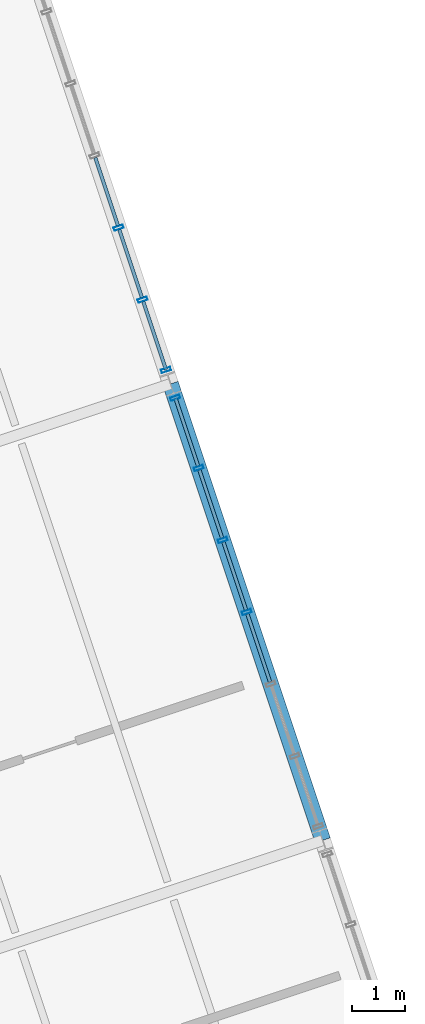
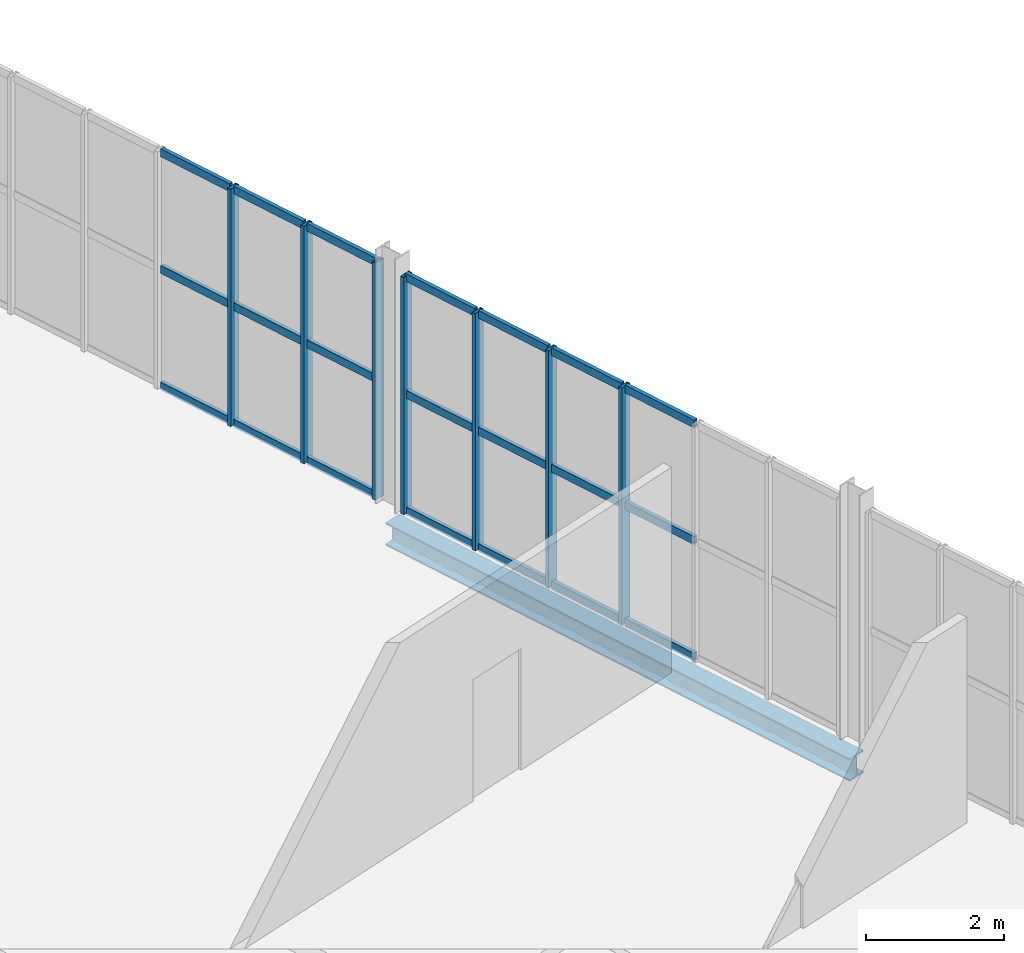
# One storey, part 92 of 152: 28 members, 1 beam, 2 elements without a shape of their own.
"""IFC4 building model written with IfcOpenShell, lengths in metres."""

import ifcopenshell
import ifcopenshell.guid

model = None  # the IFC model being written
_history = None  # IfcOwnerHistory: only IFC2X3 demands one
_inside = {}  # id of a spatial element -> (the spatial element, [elements in it])
_under = {}  # id of a project, library or spatial element -> (it, [spatial elements below it])
_declared = {}  # id of a project -> (the project, [libraries it declares])
_typed = {}  # id of a type object -> (the type object, [elements of that type])
_made_of = {}  # id of a material, layer set ... -> (it, [elements and type objects made of it])


def new_model(schema):
    """Start an empty IFC model of exactly this schema.

    Asked for "IFC4X3", IfcOpenShell would pick the latest addendum, in which some entities
    have other attributes; the version numbers below select the first issue.
    IFC2X3 requires an IfcOwnerHistory on every rooted entity: one is made here for all.
    """
    global model, _history
    if schema == "IFC4X3":
        model = ifcopenshell.file(schema_version=(4, 3, 0, 0))
    else:
        model = ifcopenshell.file(schema=schema)
    _inside.clear()
    _under.clear()
    _declared.clear()
    _typed.clear()
    _made_of.clear()
    _history = None
    if model.schema == "IFC2X3":
        org = make("IfcOrganization", Name="unknown")
        user = make(
            "IfcPersonAndOrganization",
            ThePerson=make("IfcPerson", FamilyName="unknown"),
            TheOrganization=org,
        )
        app = make(
            "IfcApplication",
            ApplicationDeveloper=org,
            Version="unknown",
            ApplicationFullName="unknown",
            ApplicationIdentifier="unknown",
        )
        _history = make(
            "IfcOwnerHistory",
            OwningUser=user,
            OwningApplication=app,
            ChangeAction="ADDED",
            CreationDate=0,
        )
    return model


def make(cls, **values):
    """One entity of the class cls with the attributes given. An attribute that is None is left unset."""
    return model.create_entity(
        cls, **{name: value for name, value in values.items() if value is not None}
    )


def rooted(cls, **values):
    """An entity with a GlobalId (a new one), such as an element, a storey or a relation."""
    return make(cls, GlobalId=ifcopenshell.guid.new(), OwnerHistory=_history, **values)


def si_unit(unit_type, name, prefix=None):
    """IfcSIUnit, for example si_unit("LENGTHUNIT", "METRE", prefix="MILLI")."""
    return make("IfcSIUnit", UnitType=unit_type, Prefix=prefix, Name=name)


def derived_unit(unit_type, elements):
    """IfcDerivedUnit: a product of units, each with its exponent."""
    return make(
        "IfcDerivedUnit",
        Elements=[
            make("IfcDerivedUnitElement", Unit=unit, Exponent=power)
            for unit, power in elements
        ],
        UnitType=unit_type,
    )


def assignment(units):
    """IfcUnitAssignment: the units of a project."""
    return None if units is None else make("IfcUnitAssignment", Units=units)


def point(xyz):
    """IfcCartesianPoint."""
    return None if xyz is None else make("IfcCartesianPoint", Coordinates=xyz)


def direction(xyz):
    """IfcDirection."""
    return None if xyz is None else make("IfcDirection", DirectionRatios=xyz)


def frame(location, z_axis=None, x_axis=None):
    """IfcAxis2Placement3D, a coordinate frame: its origin and axes. An axis left out is left unset."""
    return make(
        "IfcAxis2Placement3D",
        Location=point(location),
        Axis=direction(z_axis),
        RefDirection=direction(x_axis),
    )


def frame_2d(location, x_axis=None):
    """IfcAxis2Placement2D, a coordinate frame in the plane: its origin and x axis."""
    return make(
        "IfcAxis2Placement2D", Location=point(location), RefDirection=direction(x_axis)
    )


def origin():
    """The frame at (0, 0, 0) with its axes left unset."""
    return frame((0.0, 0.0, 0.0))


def origin_2d():
    """The frame at (0, 0) in the plane with its x axis left unset."""
    return frame_2d((0.0, 0.0))


def place(relative_to, where):
    """IfcLocalPlacement: puts the frame where relative to a parent placement (None: the world)."""
    return make(
        "IfcLocalPlacement", PlacementRelTo=relative_to, RelativePlacement=where
    )


def context(
    kind, dimensions, precision=None, world=None, true_north=None, identifier=None
):
    """IfcGeometricRepresentationContext, for example the 3D "Model" context."""
    return make(
        "IfcGeometricRepresentationContext",
        ContextIdentifier=identifier,
        ContextType=kind,
        CoordinateSpaceDimension=dimensions,
        Precision=precision,
        WorldCoordinateSystem=world,
        TrueNorth=true_north,
    )


def subcontext(parent, identifier, kind, view, scale=None):
    """IfcGeometricRepresentationSubContext, for example "Body" below "Model"."""
    return make(
        "IfcGeometricRepresentationSubContext",
        ContextIdentifier=identifier,
        ContextType=kind,
        ParentContext=parent,
        TargetScale=scale,
        TargetView=view,
    )


def project(units=None, contexts=None):
    """IfcProject with its units and contexts."""
    return rooted(
        "IfcProject",
        Name="project",
        RepresentationContexts=contexts,
        UnitsInContext=assignment(units),
    )


def spatial(cls, under=None, at=None, **own):
    """A site, building, storey or space (cls), placed at a placement, below another one or the project."""
    s = rooted(cls, ObjectPlacement=at, **own)
    if under is not None:
        _under.setdefault(under.id(), (under, []))[1].append(s)
    return s


def profile(cls, at=None, kind="AREA", **sizes):
    """A parametric profile (cls). Its sizes go by their IFC names, for example OverallWidth=200.0."""
    return make(cls, ProfileType=kind, Position=at, **sizes)


def hollow_rectangle(**sizes):
    """IfcRectangleHollowProfileDef."""
    return profile("IfcRectangleHollowProfileDef", **sizes)


def i_section(**sizes):
    """IfcIShapeProfileDef."""
    return profile("IfcIShapeProfileDef", **sizes)


def extrude(swept, where, along, depth):
    """IfcExtrudedAreaSolid: the profile swept, set in the frame where, extruded along a direction by depth."""
    return make(
        "IfcExtrudedAreaSolid",
        SweptArea=swept,
        Position=where,
        ExtrudedDirection=direction(along),
        Depth=depth,
    )


def shape(context_of_items, identifier, shape_type, items):
    """IfcShapeRepresentation: the items that make up one representation, for example the "Body"."""
    return make(
        "IfcShapeRepresentation",
        ContextOfItems=context_of_items,
        RepresentationIdentifier=identifier,
        RepresentationType=shape_type,
        Items=items,
    )


def material(Name=None, Category=None):
    """IfcMaterial."""
    return make("IfcMaterial", Name=Name, Category=Category)


def material_profile(
    of_material, cross_section, Name=None, Category=None, Priority=None
):
    """IfcMaterialProfile: a cross section and its material."""
    return make(
        "IfcMaterialProfile",
        Name=Name,
        Material=of_material,
        Profile=cross_section,
        Priority=Priority,
        Category=Category,
    )


def profile_set(profiles, Name=None, composite=None):
    """IfcMaterialProfileSet."""
    return make(
        "IfcMaterialProfileSet",
        Name=Name,
        MaterialProfiles=profiles,
        CompositeProfile=composite,
    )


def made_of(thing, what):
    """Note that an element or type object is made of a material, layer set ...; save() writes the relation."""
    if what is not None:
        _made_of.setdefault(what.id(), (what, []))[1].append(thing)
    return thing


def type_object(cls, material=None, **own):
    """A type object (cls), such as IfcWallType, which elements share."""
    return made_of(rooted(cls, **own), material)


def element(
    cls,
    number,
    at=None,
    inside=None,
    cuts=None,
    type_object=None,
    material=None,
    context=None,
    identifier="Body",
    shape_type=None,
    held_by="IfcProductDefinitionShape",
    body=None,
    shapes=None,
    **own,
):
    """One element of the class cls, such as IfcWall. Its Tag is "e" and its number.

    at: its placement. inside: the storey or other place that contains it. cuts: it is an
    opening in that element (IfcRelVoidsElement). A single representation is given by context,
    identifier, shape_type and body (its items); several are given by shapes. held_by: the class
    of the entity that holds the representations. save() writes the other relations.
    """
    e = rooted(cls, Tag="e%d" % number, ObjectPlacement=at, **own)
    if body is not None:
        shapes = [shape(context, identifier, shape_type, body)]
    if shapes is not None:
        e.Representation = make(held_by, Representations=shapes)
    if inside is not None:
        _inside.setdefault(inside.id(), (inside, []))[1].append(e)
    if cuts is not None:
        rooted(
            "IfcRelVoidsElement", RelatingBuildingElement=cuts, RelatedOpeningElement=e
        )
    if type_object is not None:
        _typed.setdefault(type_object.id(), (type_object, []))[1].append(e)
    return made_of(e, material)


def aggregate(whole, parts):
    """IfcRelAggregates: a whole, such as a stair, and the parts it consists of."""
    return rooted("IfcRelAggregates", RelatingObject=whole, RelatedObjects=parts)


def save(model, path):
    """Write the relations noted so far, then the file.

    IfcRelAggregates (storeys below a building ...), IfcRelContainedInSpatialStructure (elements
    in a storey), IfcRelDefinesByType, IfcRelAssociatesMaterial and IfcRelDeclares: one each for
    every whole, place, type object, material and project.
    """
    for whole, parts in _under.values():
        aggregate(whole, parts)
    for where, things in _inside.values():
        rooted(
            "IfcRelContainedInSpatialStructure",
            RelatedElements=things,
            RelatingStructure=where,
        )
    for kind, things in _typed.values():
        rooted("IfcRelDefinesByType", RelatedObjects=things, RelatingType=kind)
    for what, things in _made_of.values():
        rooted("IfcRelAssociatesMaterial", RelatedObjects=things, RelatingMaterial=what)
    for by, libraries in _declared.values():
        rooted("IfcRelDeclares", RelatingContext=by, RelatedDefinitions=libraries)
    model.write(path)


model = new_model("IFC4")

# Units and contexts
model_context = context("Model", 3, precision=1e-05, world=origin(), true_north=direction((0.0, 1.0)))
body_context = subcontext(model_context, "Body", "Model", "MODEL_VIEW")
ifc_project = project(units=[si_unit("LENGTHUNIT", "METRE"), si_unit("AREAUNIT", "SQUARE_METRE"), si_unit("VOLUMEUNIT", "CUBIC_METRE"), si_unit("PLANEANGLEUNIT", "RADIAN"), si_unit("MASSUNIT", "GRAM", prefix="KILO"), si_unit("THERMODYNAMICTEMPERATUREUNIT", "KELVIN"), si_unit("TIMEUNIT", "SECOND"), derived_unit("THERMALTRANSMITTANCEUNIT", [(si_unit("MASSUNIT", "GRAM", prefix="KILO"), 1), (si_unit("THERMODYNAMICTEMPERATUREUNIT", "KELVIN"), -1), (si_unit("TIMEUNIT", "SECOND"), -3)])], contexts=[model_context])

# Site, building, storey
site_placement = place(None, origin())
site = spatial("IfcSite", under=ifc_project, at=site_placement, CompositionType="ELEMENT")
building_placement = place(site_placement, origin())
building = spatial("IfcBuilding", under=site, at=building_placement, Name="Cambertide Market Hall", CompositionType="ELEMENT")
storey_placement = place(building_placement, frame((0.0, 0.0, 5.39990234375)))
storey = spatial("IfcBuildingStorey", under=building, at=storey_placement, Name="L02", CompositionType="ELEMENT", Elevation=5.39990234375)

# Curtain wall, members
ifc_material_1 = material(Name="Marine Anodized Aluminium 6063-T6 AA25", Category="aluminium")
curtain_wall_type = type_object("IfcCurtainWallType", Name="Food Court Upper Glazed Facade", PredefinedType="USERDEFINED", material=ifc_material_1)
curtain_wall_1_placement = place(storey_placement, origin())
curtain_wall_1 = element("IfcCurtainWall", 1, at=curtain_wall_1_placement, inside=storey, type_object=curtain_wall_type, Name="Level 2 Curtain Wall CW-V3E-L02-2", ObjectType="UNITIZED CURTAIN WALL", PredefinedType="USERDEFINED")
ifc_material_2 = material(Name="Champagne Marine Anodized Aluminium 6063-T6 AA25", Category="aluminium")
ifc_material_profile_1 = material_profile(ifc_material_2, hollow_rectangle(XDim=0.06494140625, YDim=0.179931640625, WallThickness=0.00390625, at=origin_2d()), Name="ALU MULLION 65x180")
ifc_profile_set_1 = profile_set([ifc_material_profile_1], Name="Champagne Marine Anodized Aluminium 6063-T6 AA25")
member_type_1 = type_object("IfcMemberType", Name="Curtain Wall Mullion ALU MULLION 65x180", PredefinedType="MULLION", material=ifc_profile_set_1)
member_1_placement = place(storey_placement, frame((160.161865234375, 48.73779296875, 0.0), z_axis=(0.0, 0.0, 1.0), x_axis=(0.316227695598, -0.948683321523, 0.0)))
member_1 = element("IfcMember", 2, at=member_1_placement, type_object=member_type_1, Name="CW-V3E-L02-2 Mullion 1", PredefinedType="MULLION", context=body_context, shape_type="SweptSolid", body=[
    extrude(hollow_rectangle(XDim=0.06494140625, YDim=0.179931640625, WallThickness=0.00390625, at=origin_2d()), origin(), (0.0, 0.0, 1.0), 4.2001953125),
])
member_2_placement = place(storey_placement, frame((160.599853515625, 47.423828125, 0.0), z_axis=(0.0, 0.0, 1.0), x_axis=(0.316227695598, -0.948683321523, 0.0)))
member_2 = element("IfcMember", 3, at=member_2_placement, type_object=member_type_1, Name="CW-V3E-L02-2 Mullion 2", PredefinedType="MULLION", context=body_context, shape_type="SweptSolid", body=[
    extrude(hollow_rectangle(XDim=0.06494140625, YDim=0.179931640625, WallThickness=0.00390625, at=origin_2d()), origin(), (0.0, 0.0, 1.0), 4.2001953125),
])
member_3_placement = place(storey_placement, frame((161.048828125, 46.07666015625, 0.0), z_axis=(0.0, 0.0, 1.0), x_axis=(0.316227695598, -0.948683321523, 0.0)))
member_3 = element("IfcMember", 4, at=member_3_placement, type_object=member_type_1, Name="CW-V3E-L02-2 Mullion 3", PredefinedType="MULLION", context=body_context, shape_type="SweptSolid", body=[
    extrude(hollow_rectangle(XDim=0.06494140625, YDim=0.179931640625, WallThickness=0.00390625, at=origin_2d()), origin(), (0.0, 0.0, 1.0), 4.2001953125),
])
member_4_placement = place(storey_placement, frame((161.498046875, 44.7294921875, 0.0), z_axis=(0.0, 0.0, 1.0), x_axis=(0.316227695598, -0.948683321523, 0.0)))
member_4 = element("IfcMember", 5, at=member_4_placement, type_object=member_type_1, Name="CW-V3E-L02-2 Mullion 4", PredefinedType="MULLION", context=body_context, shape_type="SweptSolid", body=[
    extrude(hollow_rectangle(XDim=0.06494140625, YDim=0.179931640625, WallThickness=0.00390625, at=origin_2d()), origin(), (0.0, 0.0, 1.0), 4.2001953125),
])

curtain_wall_2_placement = place(storey_placement, origin())
curtain_wall_2 = element("IfcCurtainWall", 6, at=curtain_wall_2_placement, inside=storey, type_object=curtain_wall_type, Name="Level 2 Curtain Wall CW-V3E-L02-3", ObjectType="UNITIZED CURTAIN WALL", PredefinedType="USERDEFINED")
member_5_placement = place(storey_placement, frame((159.10107421875, 51.920654296875, 0.0), z_axis=(0.0, 0.0, 1.0), x_axis=(0.3162277308, -0.948683309789, 0.0)))
member_5 = element("IfcMember", 7, at=member_5_placement, type_object=member_type_1, Name="CW-V3E-L02-3 Mullion 5", PredefinedType="MULLION", context=body_context, shape_type="SweptSolid", body=[
    extrude(hollow_rectangle(XDim=0.06494140625, YDim=0.179931640625, WallThickness=0.00390625, at=origin_2d()), origin(), (0.0, 0.0, 1.0), 4.2001953125),
])
member_6_placement = place(storey_placement, frame((159.550048828125, 50.573486328125, 0.0), z_axis=(0.0, 0.0, 1.0), x_axis=(0.3162277308, -0.948683309789, 0.0)))
member_6 = element("IfcMember", 8, at=member_6_placement, type_object=member_type_1, Name="CW-V3E-L02-3 Mullion 6", PredefinedType="MULLION", context=body_context, shape_type="SweptSolid", body=[
    extrude(hollow_rectangle(XDim=0.06494140625, YDim=0.179931640625, WallThickness=0.00390625, at=origin_2d()), origin(), (0.0, 0.0, 1.0), 4.2001953125),
])
member_7_placement = place(storey_placement, frame((159.988037109375, 49.259521484375, 0.0), z_axis=(0.0, 0.0, 1.0), x_axis=(0.3162277308, -0.948683309789, 0.0)))
member_7 = element("IfcMember", 9, at=member_7_placement, type_object=member_type_1, Name="CW-V3E-L02-3 Mullion 7", PredefinedType="MULLION", context=body_context, shape_type="SweptSolid", body=[
    extrude(hollow_rectangle(XDim=0.06494140625, YDim=0.179931640625, WallThickness=0.00390625, at=origin_2d()), origin(), (0.0, 0.0, 1.0), 4.2001953125),
])

# Member
ifc_material_3 = material(Name="Champagne Marine Anodized Aluminium 6063-T6 AA25", Category="aluminium")
ifc_material_profile_2 = material_profile(ifc_material_3, hollow_rectangle(XDim=0.06494140625, YDim=0.139892578125, WallThickness=0.00341796875, at=origin_2d()), Name="ALU TRANSOM 65x140")
ifc_profile_set_2 = profile_set([ifc_material_profile_2], Name="Champagne Marine Anodized Aluminium 6063-T6 AA25")
member_type_2 = type_object("IfcMemberType", Name="Curtain Wall Transom ALU TRANSOM 65x140", PredefinedType="USERDEFINED", material=ifc_profile_set_2)
member_8_placement = place(storey_placement, frame((160.16357421875, 48.73291015625, 0.03515625), z_axis=(0.316118443418, -0.948719731918, 0.0), x_axis=(0.948719731918, 0.316118443418, 0.0)))
member_8 = element("IfcMember", 10, at=member_8_placement, type_object=member_type_2, Name="CW-V3E-L02-2 Transom 1-1", ObjectType="TRANSOM", PredefinedType="USERDEFINED", context=body_context, shape_type="SweptSolid", body=[
    extrude(hollow_rectangle(XDim=0.06494140625, YDim=0.139892578125, WallThickness=0.00341796875, at=origin_2d()), origin(), (0.0, 0.0, 1.0), 1.33984375),
])

member_9_placement = place(storey_placement, frame((160.612548828125, 47.385986328125, 0.03515625), z_axis=(0.316282422593, -0.948665077442, 0.0), x_axis=(0.948665077442, 0.316282422593, 0.0)))
member_9 = element("IfcMember", 11, at=member_9_placement, type_object=member_type_2, Name="CW-V3E-L02-2 Transom 1-2", ObjectType="TRANSOM", PredefinedType="USERDEFINED", context=body_context, shape_type="SweptSolid", body=[
    extrude(hollow_rectangle(XDim=0.06494140625, YDim=0.139892578125, WallThickness=0.00341796875, at=origin_2d()), origin(), (0.0, 0.0, 1.0), 1.340087890625),
])

member_10_placement = place(storey_placement, frame((161.0615234375, 46.038818359375, 0.03515625), z_axis=(0.316282422593, -0.948665077442, 0.0), x_axis=(0.948665077442, 0.316282422593, 0.0)))
member_10 = element("IfcMember", 12, at=member_10_placement, type_object=member_type_2, Name="CW-V3E-L02-2 Transom 1-3", ObjectType="TRANSOM", PredefinedType="USERDEFINED", context=body_context, shape_type="SweptSolid", body=[
    extrude(hollow_rectangle(XDim=0.06494140625, YDim=0.139892578125, WallThickness=0.00341796875, at=origin_2d()), origin(), (0.0, 0.0, 1.0), 1.340087890625),
])

member_11_placement = place(storey_placement, frame((161.5107421875, 44.691650390625, 0.03515625), z_axis=(0.316118443418, -0.948719731918, 0.0), x_axis=(0.948719731918, 0.316118443418, 0.0)))
member_11 = element("IfcMember", 13, at=member_11_placement, type_object=member_type_2, Name="CW-V3E-L02-2 Transom 1-4", ObjectType="TRANSOM", PredefinedType="USERDEFINED", context=body_context, shape_type="SweptSolid", body=[
    extrude(hollow_rectangle(XDim=0.06494140625, YDim=0.139892578125, WallThickness=0.00341796875, at=origin_2d()), origin(), (0.0, 0.0, 1.0), 1.33984375),
])

member_12_placement = place(storey_placement, frame((160.16357421875, 48.73291015625, 2.10009765625), z_axis=(0.316118443418, -0.948719731918, 0.0), x_axis=(0.948719731918, 0.316118443418, 0.0)))
member_12 = element("IfcMember", 14, at=member_12_placement, type_object=member_type_2, Name="CW-V3E-L02-2 Transom 2-1", ObjectType="TRANSOM", PredefinedType="USERDEFINED", context=body_context, shape_type="SweptSolid", body=[
    extrude(hollow_rectangle(XDim=0.06494140625, YDim=0.139892578125, WallThickness=0.00341796875, at=origin_2d()), origin(), (0.0, 0.0, 1.0), 1.33984375),
])

member_13_placement = place(storey_placement, frame((160.612548828125, 47.385986328125, 2.10009765625), z_axis=(0.316282422593, -0.948665077442, 0.0), x_axis=(0.948665077442, 0.316282422593, 0.0)))
member_13 = element("IfcMember", 15, at=member_13_placement, type_object=member_type_2, Name="CW-V3E-L02-2 Transom 2-2", ObjectType="TRANSOM", PredefinedType="USERDEFINED", context=body_context, shape_type="SweptSolid", body=[
    extrude(hollow_rectangle(XDim=0.06494140625, YDim=0.139892578125, WallThickness=0.00341796875, at=origin_2d()), origin(), (0.0, 0.0, 1.0), 1.340087890625),
])

member_14_placement = place(storey_placement, frame((161.0615234375, 46.038818359375, 2.10009765625), z_axis=(0.316282422593, -0.948665077442, 0.0), x_axis=(0.948665077442, 0.316282422593, 0.0)))
member_14 = element("IfcMember", 16, at=member_14_placement, type_object=member_type_2, Name="CW-V3E-L02-2 Transom 2-3", ObjectType="TRANSOM", PredefinedType="USERDEFINED", context=body_context, shape_type="SweptSolid", body=[
    extrude(hollow_rectangle(XDim=0.06494140625, YDim=0.139892578125, WallThickness=0.00341796875, at=origin_2d()), origin(), (0.0, 0.0, 1.0), 1.340087890625),
])

member_15_placement = place(storey_placement, frame((161.5107421875, 44.691650390625, 2.10009765625), z_axis=(0.316118443418, -0.948719731918, 0.0), x_axis=(0.948719731918, 0.316118443418, 0.0)))
member_15 = element("IfcMember", 17, at=member_15_placement, type_object=member_type_2, Name="CW-V3E-L02-2 Transom 2-4", ObjectType="TRANSOM", PredefinedType="USERDEFINED", context=body_context, shape_type="SweptSolid", body=[
    extrude(hollow_rectangle(XDim=0.06494140625, YDim=0.139892578125, WallThickness=0.00341796875, at=origin_2d()), origin(), (0.0, 0.0, 1.0), 1.33984375),
])

member_16_placement = place(storey_placement, frame((160.16357421875, 48.73291015625, 4.1650390625), z_axis=(0.316118443418, -0.948719731918, 0.0), x_axis=(0.948719731918, 0.316118443418, 0.0)))
member_16 = element("IfcMember", 18, at=member_16_placement, type_object=member_type_2, Name="CW-V3E-L02-2 Transom 3-1", ObjectType="TRANSOM", PredefinedType="USERDEFINED", context=body_context, shape_type="SweptSolid", body=[
    extrude(hollow_rectangle(XDim=0.06494140625, YDim=0.139892578125, WallThickness=0.00341796875, at=origin_2d()), origin(), (0.0, 0.0, 1.0), 1.33984375),
])

member_17_placement = place(storey_placement, frame((160.612548828125, 47.385986328125, 4.1650390625), z_axis=(0.316282422593, -0.948665077442, 0.0), x_axis=(0.948665077442, 0.316282422593, 0.0)))
member_17 = element("IfcMember", 19, at=member_17_placement, type_object=member_type_2, Name="CW-V3E-L02-2 Transom 3-2", ObjectType="TRANSOM", PredefinedType="USERDEFINED", context=body_context, shape_type="SweptSolid", body=[
    extrude(hollow_rectangle(XDim=0.06494140625, YDim=0.139892578125, WallThickness=0.00341796875, at=origin_2d()), origin(), (0.0, 0.0, 1.0), 1.340087890625),
])

member_18_placement = place(storey_placement, frame((161.0615234375, 46.038818359375, 4.1650390625), z_axis=(0.316282422593, -0.948665077442, 0.0), x_axis=(0.948665077442, 0.316282422593, 0.0)))
member_18 = element("IfcMember", 20, at=member_18_placement, type_object=member_type_2, Name="CW-V3E-L02-2 Transom 3-3", ObjectType="TRANSOM", PredefinedType="USERDEFINED", context=body_context, shape_type="SweptSolid", body=[
    extrude(hollow_rectangle(XDim=0.06494140625, YDim=0.139892578125, WallThickness=0.00341796875, at=origin_2d()), origin(), (0.0, 0.0, 1.0), 1.340087890625),
])

member_19_placement = place(storey_placement, frame((161.5107421875, 44.691650390625, 4.1650390625), z_axis=(0.316118443418, -0.948719731918, 0.0), x_axis=(0.948719731918, 0.316118443418, 0.0)))
member_19 = element("IfcMember", 21, at=member_19_placement, type_object=member_type_2, Name="CW-V3E-L02-2 Transom 3-4", ObjectType="TRANSOM", PredefinedType="USERDEFINED", context=body_context, shape_type="SweptSolid", body=[
    extrude(hollow_rectangle(XDim=0.06494140625, YDim=0.139892578125, WallThickness=0.00341796875, at=origin_2d()), origin(), (0.0, 0.0, 1.0), 1.33984375),
])

aggregate(curtain_wall_1, [member_1, member_2, member_3, member_4, member_8, member_9, member_10, member_11, member_12, member_13, member_14, member_15, member_16, member_17, member_18, member_19])

member_20_placement = place(storey_placement, frame((158.66455078125, 53.229736328125, 0.03515625), z_axis=(0.316282422593, -0.948665077442, 0.0), x_axis=(0.948665077442, 0.316282422593, 0.0)))
member_20 = element("IfcMember", 22, at=member_20_placement, type_object=member_type_2, Name="CW-V3E-L02-3 Transom 1-4", ObjectType="TRANSOM", PredefinedType="USERDEFINED", context=body_context, shape_type="SweptSolid", body=[
    extrude(hollow_rectangle(XDim=0.06494140625, YDim=0.139892578125, WallThickness=0.00341796875, at=origin_2d()), origin(), (0.0, 0.0, 1.0), 1.340087890625),
])

member_21_placement = place(storey_placement, frame((159.113525390625, 51.882568359375, 0.03515625), z_axis=(0.316282422593, -0.948665077442, 0.0), x_axis=(0.948665077442, 0.316282422593, 0.0)))
member_21 = element("IfcMember", 23, at=member_21_placement, type_object=member_type_2, Name="CW-V3E-L02-3 Transom 1-5", ObjectType="TRANSOM", PredefinedType="USERDEFINED", context=body_context, shape_type="SweptSolid", body=[
    extrude(hollow_rectangle(XDim=0.06494140625, YDim=0.139892578125, WallThickness=0.00341796875, at=origin_2d()), origin(), (0.0, 0.0, 1.0), 1.340087890625),
])

member_22_placement = place(storey_placement, frame((159.562744140625, 50.535400390625, 0.03515625), z_axis=(0.316118443418, -0.948719731918, 0.0), x_axis=(0.948719731918, 0.316118443418, 0.0)))
member_22 = element("IfcMember", 24, at=member_22_placement, type_object=member_type_2, Name="CW-V3E-L02-3 Transom 1-6", ObjectType="TRANSOM", PredefinedType="USERDEFINED", context=body_context, shape_type="SweptSolid", body=[
    extrude(hollow_rectangle(XDim=0.06494140625, YDim=0.139892578125, WallThickness=0.00341796875, at=origin_2d()), origin(), (0.0, 0.0, 1.0), 1.33984375),
])

member_23_placement = place(storey_placement, frame((158.66455078125, 53.229736328125, 2.10009765625), z_axis=(0.316282422593, -0.948665077442, 0.0), x_axis=(0.948665077442, 0.316282422593, 0.0)))
member_23 = element("IfcMember", 25, at=member_23_placement, type_object=member_type_2, Name="CW-V3E-L02-3 Transom 2-4", ObjectType="TRANSOM", PredefinedType="USERDEFINED", context=body_context, shape_type="SweptSolid", body=[
    extrude(hollow_rectangle(XDim=0.06494140625, YDim=0.139892578125, WallThickness=0.00341796875, at=origin_2d()), origin(), (0.0, 0.0, 1.0), 1.340087890625),
])

member_24_placement = place(storey_placement, frame((159.113525390625, 51.882568359375, 2.10009765625), z_axis=(0.316282422593, -0.948665077442, 0.0), x_axis=(0.948665077442, 0.316282422593, 0.0)))
member_24 = element("IfcMember", 26, at=member_24_placement, type_object=member_type_2, Name="CW-V3E-L02-3 Transom 2-5", ObjectType="TRANSOM", PredefinedType="USERDEFINED", context=body_context, shape_type="SweptSolid", body=[
    extrude(hollow_rectangle(XDim=0.06494140625, YDim=0.139892578125, WallThickness=0.00341796875, at=origin_2d()), origin(), (0.0, 0.0, 1.0), 1.340087890625),
])

member_25_placement = place(storey_placement, frame((159.562744140625, 50.535400390625, 2.10009765625), z_axis=(0.316118443418, -0.948719731918, 0.0), x_axis=(0.948719731918, 0.316118443418, 0.0)))
member_25 = element("IfcMember", 27, at=member_25_placement, type_object=member_type_2, Name="CW-V3E-L02-3 Transom 2-6", ObjectType="TRANSOM", PredefinedType="USERDEFINED", context=body_context, shape_type="SweptSolid", body=[
    extrude(hollow_rectangle(XDim=0.06494140625, YDim=0.139892578125, WallThickness=0.00341796875, at=origin_2d()), origin(), (0.0, 0.0, 1.0), 1.33984375),
])

member_26_placement = place(storey_placement, frame((158.66455078125, 53.229736328125, 4.1650390625), z_axis=(0.316282422593, -0.948665077442, 0.0), x_axis=(0.948665077442, 0.316282422593, 0.0)))
member_26 = element("IfcMember", 28, at=member_26_placement, type_object=member_type_2, Name="CW-V3E-L02-3 Transom 3-4", ObjectType="TRANSOM", PredefinedType="USERDEFINED", context=body_context, shape_type="SweptSolid", body=[
    extrude(hollow_rectangle(XDim=0.06494140625, YDim=0.139892578125, WallThickness=0.00341796875, at=origin_2d()), origin(), (0.0, 0.0, 1.0), 1.340087890625),
])

member_27_placement = place(storey_placement, frame((159.113525390625, 51.882568359375, 4.1650390625), z_axis=(0.316282422593, -0.948665077442, 0.0), x_axis=(0.948665077442, 0.316282422593, 0.0)))
member_27 = element("IfcMember", 29, at=member_27_placement, type_object=member_type_2, Name="CW-V3E-L02-3 Transom 3-5", ObjectType="TRANSOM", PredefinedType="USERDEFINED", context=body_context, shape_type="SweptSolid", body=[
    extrude(hollow_rectangle(XDim=0.06494140625, YDim=0.139892578125, WallThickness=0.00341796875, at=origin_2d()), origin(), (0.0, 0.0, 1.0), 1.340087890625),
])

member_28_placement = place(storey_placement, frame((159.562744140625, 50.535400390625, 4.1650390625), z_axis=(0.316118443418, -0.948719731918, 0.0), x_axis=(0.948719731918, 0.316118443418, 0.0)))
member_28 = element("IfcMember", 30, at=member_28_placement, type_object=member_type_2, Name="CW-V3E-L02-3 Transom 3-6", ObjectType="TRANSOM", PredefinedType="USERDEFINED", context=body_context, shape_type="SweptSolid", body=[
    extrude(hollow_rectangle(XDim=0.06494140625, YDim=0.139892578125, WallThickness=0.00341796875, at=origin_2d()), origin(), (0.0, 0.0, 1.0), 1.33984375),
])

aggregate(curtain_wall_2, [member_5, member_6, member_7, member_20, member_21, member_22, member_23, member_24, member_25, member_26, member_27, member_28])

# Beam
ifc_material_4 = material(Name="Steel S355", Category="steel")
ifc_material_profile_3 = material_profile(ifc_material_4, i_section(OverallWidth=0.300048828125, OverallDepth=0.39990234375, WebThickness=0.013427734375, FlangeThickness=0.02392578125, FilletRadius=0.027099609375, at=origin_2d()), Name="HEB 400")
ifc_profile_set_3 = profile_set([ifc_material_profile_3], Name="Steel S355")
beam_type = type_object("IfcBeamType", Name="Steel Girder HEB 400", PredefinedType="BEAM", material=ifc_profile_set_3)
beam_placement = place(storey_placement, frame((162.9208984375, 40.46044921875, -0.449951171875), z_axis=(-0.3162196279, 0.948686010717, 0.0), x_axis=(-0.948686010717, -0.3162196279, 0.0)))
element("IfcBeam", 31, at=beam_placement, inside=storey, type_object=beam_type, Name="Level 2 Beam BM-V3V-L02-8-2", PredefinedType="BEAM", context=body_context, shape_type="SweptSolid", body=[
    extrude(i_section(OverallWidth=0.300048828125, OverallDepth=0.39990234375, WebThickness=0.013427734375, FlangeThickness=0.02392578125, FilletRadius=0.027099609375, at=origin_2d()), origin(), (0.0, 0.0, 1.0), 9.0),
])

save(model, "model.ifc")
